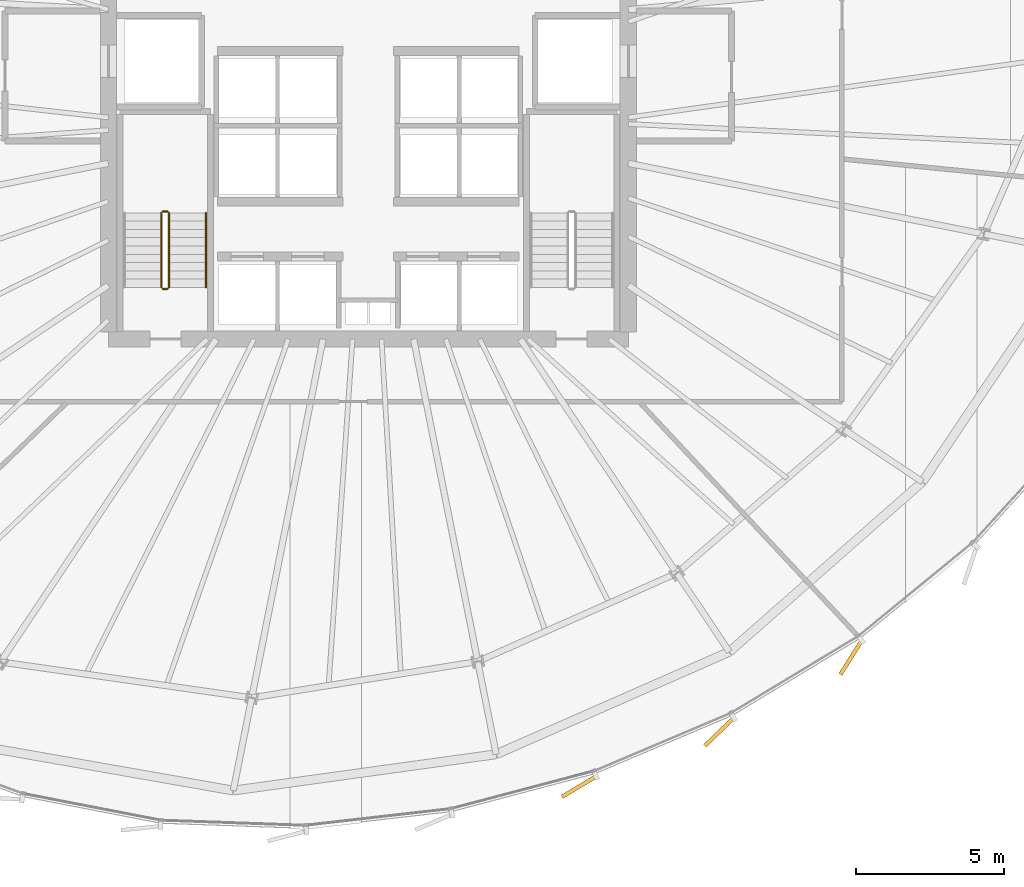
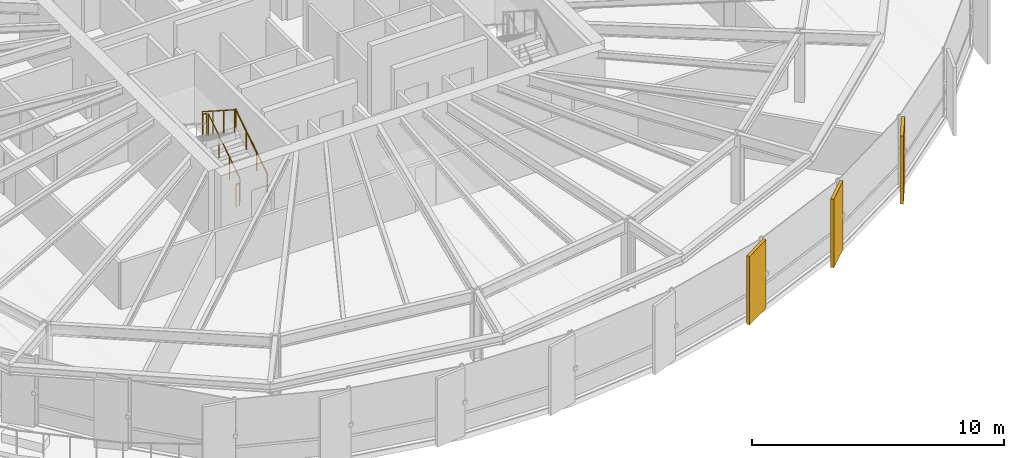
# One storey, part 31 of 33: 5 railings, 3 coverings.
"""IFC4 building model written with IfcOpenShell, lengths in metres."""

from ifc_helpers import new_model, si_unit, direction, frame, origin, origin_2d, place, context, subcontext, project, spatial, rectangle, circle, extrude, source, transform, mapped, material, layer, layer_set, type_object, element, save


model = new_model("IFC4")

# Units and contexts
model_context = context("Model", 3, precision=1e-05, world=origin(), true_north=direction((0.0, 1.0)))
body_context = subcontext(model_context, "Body", "Model", "MODEL_VIEW")
ifc_project = project(units=[si_unit("LENGTHUNIT", "METRE"), si_unit("AREAUNIT", "SQUARE_METRE"), si_unit("VOLUMEUNIT", "CUBIC_METRE"), si_unit("PLANEANGLEUNIT", "RADIAN"), si_unit("MASSUNIT", "GRAM", prefix="KILO"), si_unit("THERMODYNAMICTEMPERATUREUNIT", "KELVIN")], contexts=[model_context])

# Site, building, storey
site_placement = place(None, origin())
site = spatial("IfcSite", under=ifc_project, at=site_placement, CompositionType="ELEMENT")
building_placement = place(site_placement, origin())
building = spatial("IfcBuilding", under=site, at=building_placement, Name="Kethvar Cultural Tower", CompositionType="ELEMENT")
storey_placement = place(building_placement, frame((0.0, 0.0, 110.800048828125)))
storey = spatial("IfcBuildingStorey", under=building, at=storey_placement, Name="L27", CompositionType="ELEMENT", Elevation=110.800048828125)

# Railings
ifc_material_1 = material(Name="Steel S355J2", Category="steel")
railing_type_1 = type_object("IfcRailingType", Name="RL-STAIR-GUARD", PredefinedType="BALUSTRADE", material=ifc_material_1)
railing_1_placement = place(storey_placement, frame((40.050048828125, 21.85009765625, 0.179931640625)))
element("IfcRailing", 1, at=railing_1_placement, inside=storey, type_object=railing_type_1, Name="L27 ST-01 stair guard 1", PredefinedType="BALUSTRADE", context=body_context, shape_type="SweptSolid", body=[
    extrude(circle(Radius=0.02392578125, at=origin_2d()), frame((0.0, 0.0, 1.09619140625), z_axis=(0.0, 0.841162588446, 0.540782303519), x_axis=(-1.0, 0.0, 0.0)), (0.0, 0.0, 1.0), 2.995849609375),
    extrude(circle(Radius=0.02099609375, at=origin_2d()), origin(), (0.0, 0.0, 1.0), 1.072021484375),
    extrude(circle(Radius=0.02099609375, at=origin_2d()), frame((0.0, 0.840087890625, 0.5400390625)), (0.0, 0.0, 1.0), 1.072021484375),
    extrude(circle(Radius=0.02099609375, at=origin_2d()), frame((0.0, 1.679931640625, 1.080078125)), (0.0, 0.0, 1.0), 1.072021484375),
    extrude(circle(Radius=0.02099609375, at=origin_2d()), frame((0.0, 2.52001953125, 1.6201171875)), (0.0, 0.0, 1.0), 1.072021484375),
])
railing_2_placement = place(storey_placement, frame((40.0, 24.419921875, 1.800048828125)))
element("IfcRailing", 2, at=railing_2_placement, inside=storey, type_object=railing_type_1, Name="L27 ST-01 stair guard 2", PredefinedType="BALUSTRADE", context=body_context, shape_type="SweptSolid", body=[
    extrude(circle(Radius=0.02392578125, at=origin_2d()), frame((0.0, 0.0, 1.09619140625), z_axis=(-1.0, 0.0, 0.0), x_axis=(0.0, -1.0, 0.0)), (0.0, 0.0, 1.0), 0.159912109375),
    extrude(circle(Radius=0.02099609375, at=origin_2d()), origin(), (0.0, 0.0, 1.0), 1.072021484375),
    extrude(circle(Radius=0.02099609375, at=origin_2d()), frame((-0.159912109375, 0.0, 0.0)), (0.0, 0.0, 1.0), 1.072021484375),
])
railing_3_placement = place(storey_placement, frame((39.7900390625, 24.3701171875, 1.97998046875)))
element("IfcRailing", 3, at=railing_3_placement, inside=storey, type_object=railing_type_1, Name="L27 ST-01 stair guard 3", PredefinedType="BALUSTRADE", context=body_context, shape_type="SweptSolid", body=[
    extrude(circle(Radius=0.02392578125, at=origin_2d()), frame((0.0, 0.0, 1.09619140625), z_axis=(0.0, -0.841199657755, 0.540724639528), x_axis=(1.0, 0.0, 0.0)), (0.0, 0.0, 1.0), 2.995849609375),
    extrude(circle(Radius=0.02099609375, at=origin_2d()), origin(), (0.0, 0.0, 1.0), 1.072021484375),
    extrude(circle(Radius=0.02099609375, at=origin_2d()), frame((0.0, -0.840087890625, 0.5400390625)), (0.0, 0.0, 1.0), 1.072021484375),
    extrude(circle(Radius=0.02099609375, at=origin_2d()), frame((0.0, -1.679931640625, 1.079833984375)), (0.0, 0.0, 1.0), 1.072021484375),
    extrude(circle(Radius=0.02099609375, at=origin_2d()), frame((0.0, -2.52001953125, 1.619873046875)), (0.0, 0.0, 1.0), 1.072021484375),
])
railing_4_placement = place(storey_placement, frame((40.0, 21.800048828125, 0.0)))
element("IfcRailing", 4, at=railing_4_placement, inside=storey, type_object=railing_type_1, Name="L27 ST-01 stair guard 4", PredefinedType="BALUSTRADE", context=body_context, shape_type="SweptSolid", body=[
    extrude(circle(Radius=0.02392578125, at=origin_2d()), frame((0.0, 0.0, 1.09619140625), z_axis=(-1.0, 0.0, 0.0), x_axis=(0.0, -1.0, 0.0)), (0.0, 0.0, 1.0), 0.159912109375),
    extrude(circle(Radius=0.02099609375, at=origin_2d()), origin(), (0.0, 0.0, 1.0), 1.072021484375),
    extrude(circle(Radius=0.02099609375, at=origin_2d()), frame((-0.159912109375, 0.0, 0.0)), (0.0, 0.0, 1.0), 1.072021484375),
])
railing_type_2 = type_object("IfcRailingType", Name="RL-STAIR-HANDRAIL", PredefinedType="HANDRAIL", material=ifc_material_1)
railing_5_placement = place(storey_placement, frame((41.300048828125, 21.85009765625, 0.179931640625)))
element("IfcRailing", 5, at=railing_5_placement, inside=storey, type_object=railing_type_2, Name="L27 ST-01 stair handrail 1", PredefinedType="HANDRAIL", context=body_context, shape_type="SweptSolid", body=[
    extrude(circle(Radius=0.02392578125, at=origin_2d()), frame((0.0, 0.0, 0.8759765625), z_axis=(0.0, 0.841162588446, 0.540782303519), x_axis=(-1.0, 0.0, 0.0)), (0.0, 0.0, 1.0), 2.995849609375),
    extrude(circle(Radius=0.02099609375, at=origin_2d()), origin(), (0.0, 0.0, 1.0), 0.851806640625),
    extrude(circle(Radius=0.02099609375, at=origin_2d()), frame((0.0, 0.840087890625, 0.5400390625)), (0.0, 0.0, 1.0), 0.851806640625),
    extrude(circle(Radius=0.02099609375, at=origin_2d()), frame((0.0, 1.679931640625, 1.080078125)), (0.0, 0.0, 1.0), 0.851806640625),
    extrude(circle(Radius=0.02099609375, at=origin_2d()), frame((0.0, 2.52001953125, 1.6201171875)), (0.0, 0.0, 1.0), 0.851806640625),
])

# Coverings
ifc_material_2 = material(Name="Extruded Architectural Terracotta", Category="masonry")
ifc_layer = layer(ifc_material_2, 0.135009765625, Name="Extruded Architectural Terracotta", Category="masonry")
ifc_layer_set = layer_set([ifc_layer], Name="Extruded Architectural Terracotta (135 mm)")
covering_type = type_object("IfcCoveringType", Name="Terracotta Facade Fin FIN-02", PredefinedType="CLADDING", material=ifc_layer_set)
shared_shape = source(origin(), body_context, "Body", "SweptSolid", [
    extrude(rectangle(XDim=1.35009765625, YDim=0.135009765625, at=origin_2d()), origin(), (0.0, 0.0, 1.0), 3.31005859375),
])
for number, where, z_axis, x_axis, name in (
    (6, (53.93212890625, 4.94873046875, 0.02001953125), (0.0, 0.0, 1.0), (-0.857257178748, -0.51488846315, 0.0), "L27 Vertical Terracotta Fin 5.3"),
    (7, (58.684326171875, 6.8046875, 0.02001953125), (0.0, 0.0, 1.0), (-0.718975979477, -0.695034920658, 0.0), "L27 Vertical Terracotta Fin 5.4"),
    (8, (63.14306640625, 9.3203125, 0.02001953125), (0.0, 0.0, 1.0), (-0.533023956522, -0.846100148785, 0.0), "L27 Vertical Terracotta Fin 5.5"),
):
    element("IfcCovering", number, at=place(storey_placement, frame(where, z_axis=z_axis, x_axis=x_axis)), inside=storey, type_object=covering_type, Name=name, PredefinedType="CLADDING", context=body_context, shape_type="MappedRepresentation", body=[
        mapped(shared_shape, transform((0.0, 0.0, 0.0), scale=1.0)),
    ])

save(model, "model.ifc")
